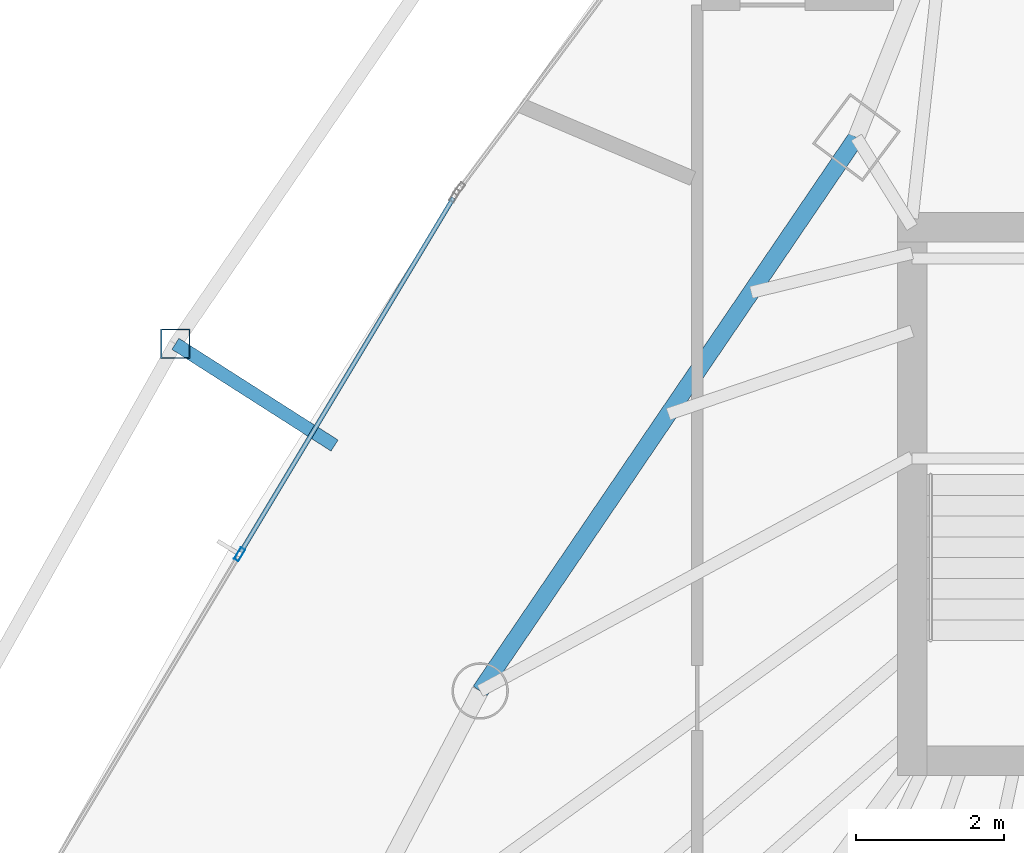
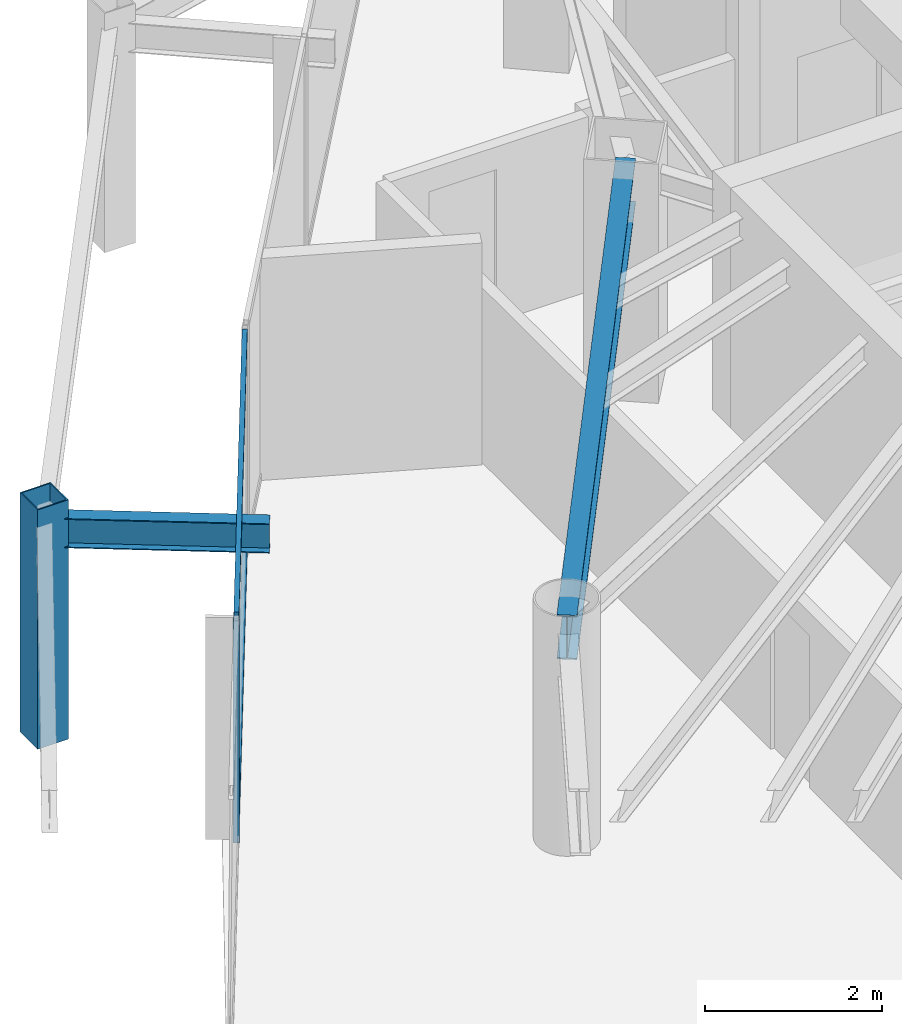
# One storey, part 11 of 31: 4 members, 2 beams, 1 element without a shape of its own.
"""IFC4 building model written with IfcOpenShell, lengths in metres."""

from ifc_helpers import new_model, si_unit, direction, frame, origin, origin_2d, place, context, subcontext, project, spatial, hollow_rectangle, i_section, extrude, material, layer, layer_set, material_profile, profile_set, type_object, element, aggregate, save


model = new_model("IFC4")

# Units and contexts
model_context = context("Model", 3, precision=1e-05, world=origin(), true_north=direction((0.0, 1.0)))
body_context = subcontext(model_context, "Body", "Model", "MODEL_VIEW")
ifc_project = project(units=[si_unit("LENGTHUNIT", "METRE"), si_unit("AREAUNIT", "SQUARE_METRE"), si_unit("VOLUMEUNIT", "CUBIC_METRE"), si_unit("PLANEANGLEUNIT", "RADIAN"), si_unit("MASSUNIT", "GRAM", prefix="KILO")], contexts=[model_context])

# Site, building, storey
site_placement = place(None, origin())
site = spatial("IfcSite", under=ifc_project, at=site_placement, CompositionType="ELEMENT")
building_placement = place(site_placement, origin())
building = spatial("IfcBuilding", under=site, at=building_placement, Name="Orvanel Arch Residences", CompositionType="ELEMENT")
storey_placement = place(building_placement, frame((0.0, 0.0, 126.5)))
storey = spatial("IfcBuildingStorey", under=building, at=storey_placement, Name="L35", CompositionType="ELEMENT", Elevation=126.5)

# Curtain wall, member
ifc_material_1 = material(Name="Bronze-anodised aluminium AA6063-T6", Category="aluminium")
ifc_layer = layer(ifc_material_1, 0.179931640625)
ifc_layer_set = layer_set([ifc_layer], Name="Bronze-anodised aluminium AA6063-T6")
curtain_wall_type = type_object("IfcCurtainWallType", Name="CW3-MID-SYS", PredefinedType="NOTDEFINED", material=ifc_layer_set)
curtain_wall_placement = place(storey_placement, origin())
curtain_wall = element("IfcCurtainWall", 1, at=curtain_wall_placement, inside=storey, type_object=curtain_wall_type, Name="L35 CW3-MID-SYS Unitised Curtain Wall", PredefinedType="NOTDEFINED")
ifc_material_profile_1 = material_profile(ifc_material_1, hollow_rectangle(XDim=0.070068359375, YDim=0.179931640625, WallThickness=0.00439453125, at=origin_2d()), Name="ALU180x70x4.5")
ifc_profile_set_1 = profile_set([ifc_material_profile_1], Name="Bronze-anodised aluminium AA6063-T6")
member_type_1 = type_object("IfcMemberType", Name="MUL-180x70", PredefinedType="MULLION", material=ifc_profile_set_1)
member_1_placement = place(storey_placement, frame((17.322509765625, 29.486083984375, 0.0), z_axis=(0.0, 0.0, 1.0), x_axis=(0.857531765451, -0.514431016991, 0.0)))
member_1 = element("IfcMember", 2, at=member_1_placement, type_object=member_type_1, Name="CW-S3 mullion 2", PredefinedType="MULLION", context=body_context, shape_type="SweptSolid", body=[
    extrude(hollow_rectangle(XDim=0.070068359375, YDim=0.179931640625, WallThickness=0.00439453125, at=origin_2d()), origin(), (0.0, 0.0, 1.0), 3.06005859375),
])

# Beams
ifc_material_2 = material(Name="Structural steel AS/NZS 3679.1 Grade 300 (300 MPa)", Category="steel")
ifc_material_profile_2 = material_profile(ifc_material_2, i_section(OverallWidth=0.177978515625, OverallDepth=0.406005859375, WebThickness=0.0078125, FlangeThickness=0.0126953125, at=origin_2d()), Name="410UB59.7")
ifc_profile_set_2 = profile_set([ifc_material_profile_2], Name="Structural steel AS/NZS 3679.1 Grade 300 (300 MPa)")
beam_type_1 = type_object("IfcBeamType", Name="OB-410UB-EXT", PredefinedType="SPANDREL", material=ifc_profile_set_2)
beam_1_placement = place(storey_placement, frame((18.60400390625, 30.952880859375, 2.85693359375), z_axis=(-0.842674541319, 0.538423269754, 0.0), x_axis=(-0.538423269754, -0.842674541319, 0.0)))
element("IfcBeam", 3, at=beam_1_placement, inside=storey, type_object=beam_type_1, Name="L35 Outer Frame Radial Tie Beam 02", PredefinedType="SPANDREL", context=body_context, shape_type="SweptSolid", body=[
    extrude(i_section(OverallWidth=0.177978515625, OverallDepth=0.406005859375, WebThickness=0.0078125, FlangeThickness=0.0126953125, at=origin_2d()), origin(), (0.0, 0.0, 1.0), 2.550048828125),
])
ifc_material_profile_3 = material_profile(ifc_material_2, i_section(OverallWidth=0.22900390625, OverallDepth=0.612060546875, WebThickness=0.011962890625, FlangeThickness=0.01953125, at=origin_2d()), Name="610UB125")
ifc_profile_set_3 = profile_set([ifc_material_profile_3], Name="Structural steel AS/NZS 3679.1 Grade 300 (300 MPa)")
beam_type_2 = type_object("IfcBeamType", Name="SP-610UB", PredefinedType="SPANDREL", material=ifc_profile_set_3)
beam_2_placement = place(storey_placement, frame((25.64794921875, 35.113037109375, 2.75390625), z_axis=(-0.562154793153, -0.827032035978, 0.0), x_axis=(0.827032035978, -0.562154793153, 0.0)))
element("IfcBeam", 4, at=beam_2_placement, inside=storey, type_object=beam_type_2, Name="L35 Perimeter Spandrel Beam 17", PredefinedType="SPANDREL", context=body_context, shape_type="SweptSolid", body=[
    extrude(i_section(OverallWidth=0.22900390625, OverallDepth=0.612060546875, WebThickness=0.011962890625, FlangeThickness=0.01953125, at=origin_2d()), origin(), (0.0, 0.0, 1.0), 9.03466796875),
])

# Member
ifc_material_3 = material(Name="Structural steel AS/NZS 1163 C450L0 (Grade 450)", Category="steel")
ifc_material_profile_4 = material_profile(ifc_material_3, hollow_rectangle(XDim=0.39990234375, YDim=0.39990234375, WallThickness=0.01611328125, at=origin_2d()), Name="SHS400x400x16")
ifc_profile_set_4 = profile_set([ifc_material_profile_4], Name="Structural steel AS/NZS 1163 C450L0 (Grade 450)")
member_type_2 = type_object("IfcMemberType", Name="ST-400SHS-EXT", PredefinedType="STRUT", material=ifc_profile_set_4)
member_2_placement = place(storey_placement, frame((16.455078125, 32.325927734375, 0.0), z_axis=(0.0, 0.0, 1.0), x_axis=(1.0, 0.0, 0.0)))
element("IfcMember", 5, at=member_2_placement, inside=storey, type_object=member_type_2, Name="L35 Outer Perimeter Frame Post 02", PredefinedType="STRUT", context=body_context, shape_type="SweptSolid", body=[
    extrude(hollow_rectangle(XDim=0.39990234375, YDim=0.39990234375, WallThickness=0.01611328125, at=origin_2d()), origin(), (0.0, 0.0, 1.0), 3.300048828125),
])

ifc_material_profile_5 = material_profile(ifc_material_1, hollow_rectangle(XDim=0.06005859375, YDim=0.135009765625, WallThickness=0.00390625, at=origin_2d()), Name="ALU135x60x4")
ifc_profile_set_5 = profile_set([ifc_material_profile_5], Name="Bronze-anodised aluminium AA6063-T6")
member_type_3 = type_object("IfcMemberType", Name="TRN-135x60", PredefinedType="USERDEFINED", material=ifc_profile_set_5)
member_3_placement = place(storey_placement, frame((20.2080078125, 34.2958984375, 0.030029296875), z_axis=(-0.514437782899, -0.857527706565, 0.0), x_axis=(0.857527706565, -0.514437782899, 0.0)))
member_3 = element("IfcMember", 6, at=member_3_placement, type_object=member_type_3, Name="CW-S3 transom 1.1", ObjectType="TRANSOM", PredefinedType="USERDEFINED", context=body_context, shape_type="SweptSolid", body=[
    extrude(hollow_rectangle(XDim=0.06005859375, YDim=0.135009765625, WallThickness=0.00390625, at=origin_2d()), origin(), (0.0, 0.0, 1.0), 5.573974609375),
])

member_4_placement = place(storey_placement, frame((20.2080078125, 34.2958984375, 3.030029296875), z_axis=(-0.514437782899, -0.857527706565, 0.0), x_axis=(0.857527706565, -0.514437782899, 0.0)))
member_4 = element("IfcMember", 7, at=member_4_placement, type_object=member_type_3, Name="CW-S3 transom 1.2", ObjectType="TRANSOM", PredefinedType="USERDEFINED", context=body_context, shape_type="SweptSolid", body=[
    extrude(hollow_rectangle(XDim=0.06005859375, YDim=0.135009765625, WallThickness=0.00390625, at=origin_2d()), origin(), (0.0, 0.0, 1.0), 5.573974609375),
])

aggregate(curtain_wall, [member_1, member_3, member_4])

save(model, "model.ifc")
